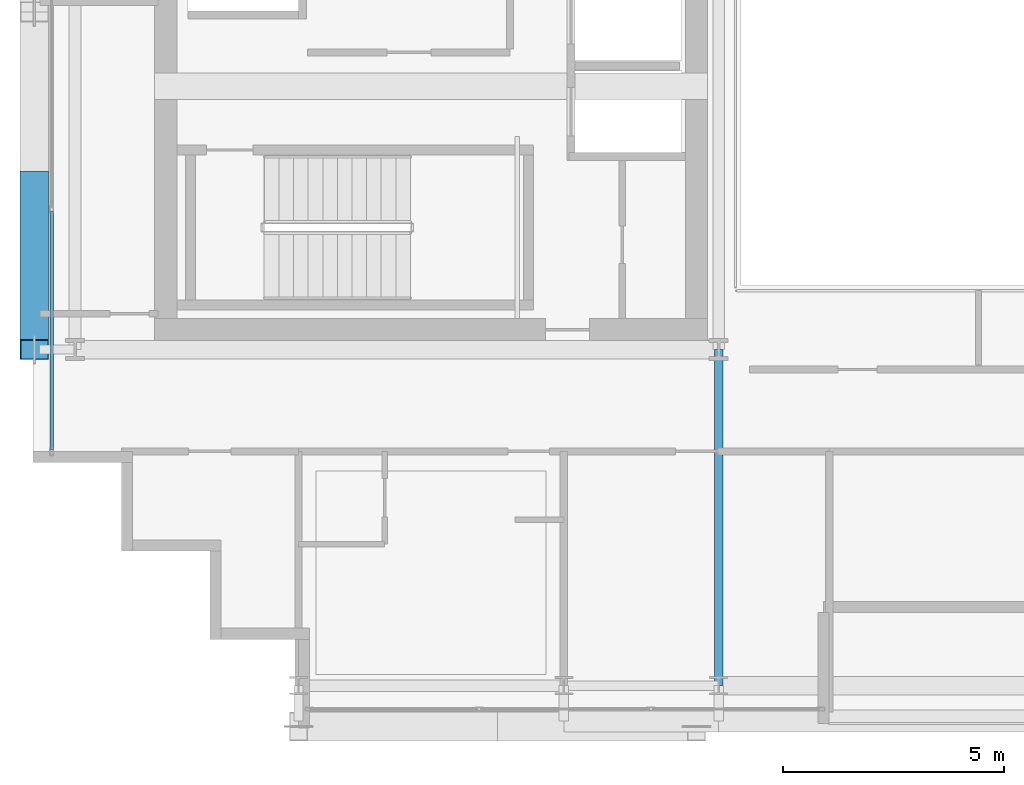
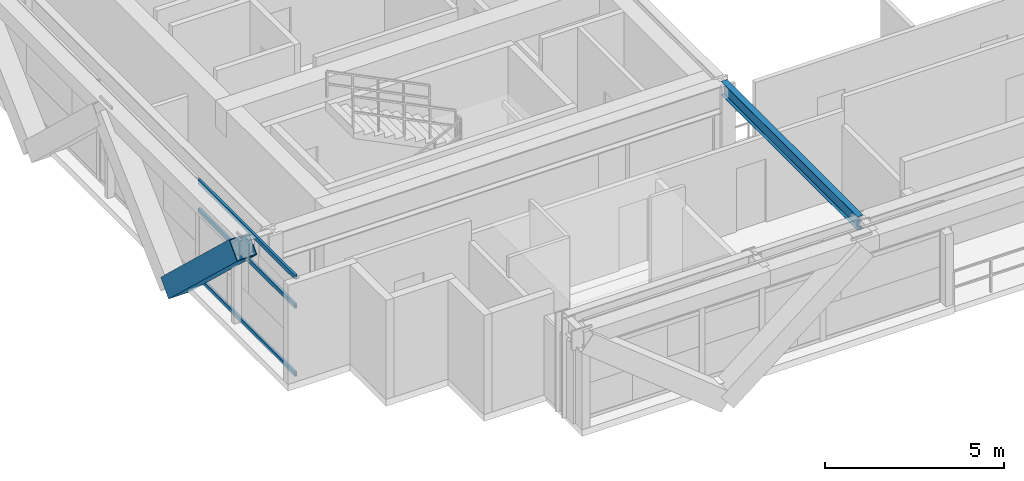
# One storey, part 3 of 32: 4 members, 1 beam, 1 element without a shape of its own.
"""IFC4 building model written with IfcOpenShell, lengths in metres."""

from ifc_helpers import new_model, si_unit, direction, frame, origin, origin_2d, place, context, subcontext, project, spatial, hollow_rectangle, i_section, extrude, source, transform, mapped, material, layer, layer_set, material_profile, profile_set, type_object, element, aggregate, save


model = new_model("IFC4")

# Units and contexts
model_context = context("Model", 3, precision=1e-05, world=origin(), true_north=direction((0.0, 1.0)))
body_context = subcontext(model_context, "Body", "Model", "MODEL_VIEW")
ifc_project = project(units=[si_unit("LENGTHUNIT", "METRE"), si_unit("AREAUNIT", "SQUARE_METRE"), si_unit("VOLUMEUNIT", "CUBIC_METRE"), si_unit("PLANEANGLEUNIT", "RADIAN"), si_unit("MASSUNIT", "GRAM", prefix="KILO")], contexts=[model_context])

# Site, building, storey
site_placement = place(None, origin())
site = spatial("IfcSite", under=ifc_project, at=site_placement, CompositionType="ELEMENT")
building_placement = place(site_placement, origin())
building = spatial("IfcBuilding", under=site, at=building_placement, Name="Ocotamira Hotel", CompositionType="ELEMENT")
storey_placement = place(building_placement, frame((0.0, 0.0, 213.60009765625)))
storey = spatial("IfcBuildingStorey", under=building, at=storey_placement, Name="L54", CompositionType="ELEMENT", Elevation=213.60009765625)

# Beam
ifc_material_1 = material(Name="Steel ASTM A992 Grade 50", Category="steel")
ifc_material_profile_1 = material_profile(ifc_material_1, i_section(OverallWidth=0.18994140625, OverallDepth=0.45703125, WebThickness=0.009033203125, FlangeThickness=0.014404296875, FilletRadius=0.010009765625, at=origin_2d()), Name="W18X50")
ifc_profile_set_1 = profile_set([ifc_material_profile_1], Name="Steel ASTM A992 Grade 50")
beam_type = type_object("IfcBeamType", Name="BM-SEC-W18X50", PredefinedType="JOIST", material=ifc_profile_set_1)
shared_shape_1 = source(origin(), body_context, "Body", "SweptSolid", [
    extrude(i_section(OverallWidth=0.18994140625, OverallDepth=0.45703125, WebThickness=0.009033203125, FlangeThickness=0.014404296875, FilletRadius=0.010009765625, at=origin_2d()), origin(), (0.0, 0.0, 1.0), 7.60009765625),
])
beam_placement = place(storey_placement, frame((23.5, 6.949951171875, 3.141357421875), z_axis=(0.0, 1.0, 0.0), x_axis=(-1.0, 0.0, 0.0)))
element("IfcBeam", 1, at=beam_placement, inside=storey, type_object=beam_type, Name="L54 Beam X23.5 Y6.95-14.55", PredefinedType="JOIST", context=body_context, shape_type="MappedRepresentation", body=[
    mapped(shared_shape_1, transform((0.0, 0.0, 0.0), scale=1.0)),
])

# Member
ifc_material_2 = material(Name="Pale-metal coated steel ASTM A913 Grade 65", Category="steel")
ifc_material_profile_2 = material_profile(ifc_material_2, hollow_rectangle(XDim=0.64990234375, YDim=0.64990234375, WallThickness=0.02197265625, at=origin_2d()), Name="BOX650X650X22")
ifc_profile_set_2 = profile_set([ifc_material_profile_2], Name="Pale-metal coated steel ASTM A913 Grade 65")
member_type_1 = type_object("IfcMemberType", Name="MEM-EXO-BOX650", PredefinedType="BRACE", material=ifc_profile_set_2)
shared_shape_2 = source(origin(), body_context, "Body", "SweptSolid", [
    extrude(hollow_rectangle(XDim=0.64990234375, YDim=0.64990234375, WallThickness=0.02197265625, at=origin_2d()), origin(), (0.0, 0.0, 1.0), 5.24658203125),
])
member_1_placement = place(storey_placement, frame((8.030029296875, 18.36669921875, -0.47998046875), z_axis=(0.0, -0.72746596067, 0.686143772154), x_axis=(1.0, 0.0, 0.0)))
element("IfcMember", 2, at=member_1_placement, inside=storey, type_object=member_type_1, Name="L54 Exoskeleton Diagrid W0.1", PredefinedType="BRACE", context=body_context, shape_type="MappedRepresentation", body=[
    mapped(shared_shape_2, transform((0.0, 0.0, 0.0), scale=1.0)),
])

# Curtain wall, members
ifc_material_3 = material(Name="Anodised pale-metal aluminium and solar glass", Category="aluminium")
ifc_layer = layer(ifc_material_3, 0.199951171875)
ifc_layer_set = layer_set([ifc_layer], Name="Anodised pale-metal aluminium and solar glass")
curtain_wall_type = type_object("IfcCurtainWallType", Name="CW-SYS4-Z3", PredefinedType="NOTDEFINED", material=ifc_layer_set)
curtain_wall_placement = place(storey_placement, origin())
curtain_wall = element("IfcCurtainWall", 3, at=curtain_wall_placement, inside=storey, type_object=curtain_wall_type, Name="L54 Curtain Wall CW-4 CW-L54-W", PredefinedType="NOTDEFINED")
ifc_material_4 = material(Name="Anodised pale-metal aluminium 6063-T6", Category="aluminium")
ifc_material_profile_3 = material_profile(ifc_material_4, hollow_rectangle(XDim=0.074951171875, YDim=0.14990234375, WallThickness=0.006103515625, at=origin_2d()), Name="HSS150X75X6")
ifc_profile_set_3 = profile_set([ifc_material_profile_3], Name="Anodised pale-metal aluminium 6063-T6")
member_type_2 = type_object("IfcMemberType", Name="CWT-150X75", PredefinedType="USERDEFINED", material=ifc_profile_set_3)
shared_shape_3 = source(origin(), body_context, "Body", "SweptSolid", [
    extrude(hollow_rectangle(XDim=0.074951171875, YDim=0.14990234375, WallThickness=0.006103515625, at=origin_2d()), origin(), (0.0, 0.0, 1.0), 5.39990234375),
])
member_2_placement = place(storey_placement, frame((8.419921875, 12.280029296875, 0.037353515625), z_axis=(0.0, 1.0, 0.0), x_axis=(-1.0, 0.0, 0.0)))
member_2 = element("IfcMember", 4, at=member_2_placement, type_object=member_type_2, Name="CW-4 transom 1.1", ObjectType="TRANSOM", PredefinedType="USERDEFINED", context=body_context, shape_type="MappedRepresentation", body=[
    mapped(shared_shape_3, transform((0.0, 0.0, 0.0), scale=1.0)),
])
member_3_placement = place(storey_placement, frame((8.419921875, 12.280029296875, 2.349853515625), z_axis=(0.0, 1.0, 0.0), x_axis=(-1.0, 0.0, 0.0)))
member_3 = element("IfcMember", 5, at=member_3_placement, type_object=member_type_2, Name="CW-4 transom 1.2", ObjectType="TRANSOM", PredefinedType="USERDEFINED", context=body_context, shape_type="MappedRepresentation", body=[
    mapped(shared_shape_3, transform((0.0, 0.0, 0.0), scale=1.0)),
])
member_4_placement = place(storey_placement, frame((8.419921875, 12.280029296875, 3.33251953125), z_axis=(0.0, 1.0, 0.0), x_axis=(-1.0, 0.0, 0.0)))
member_4 = element("IfcMember", 6, at=member_4_placement, type_object=member_type_2, Name="CW-4 transom 1.3", ObjectType="TRANSOM", PredefinedType="USERDEFINED", context=body_context, shape_type="MappedRepresentation", body=[
    mapped(shared_shape_3, transform((0.0, 0.0, 0.0), scale=1.0)),
])
aggregate(curtain_wall, [member_2, member_3, member_4])

save(model, "model.ifc")
